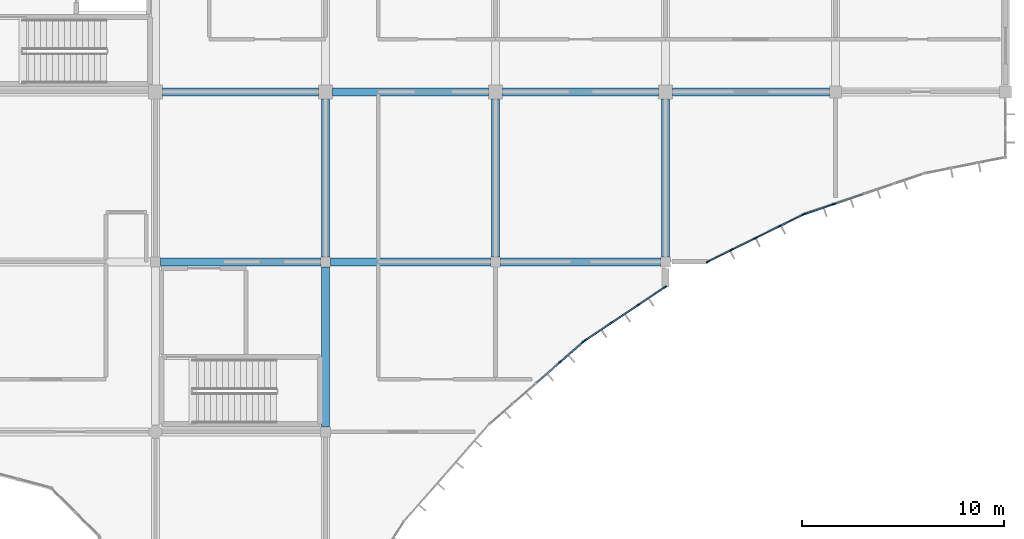
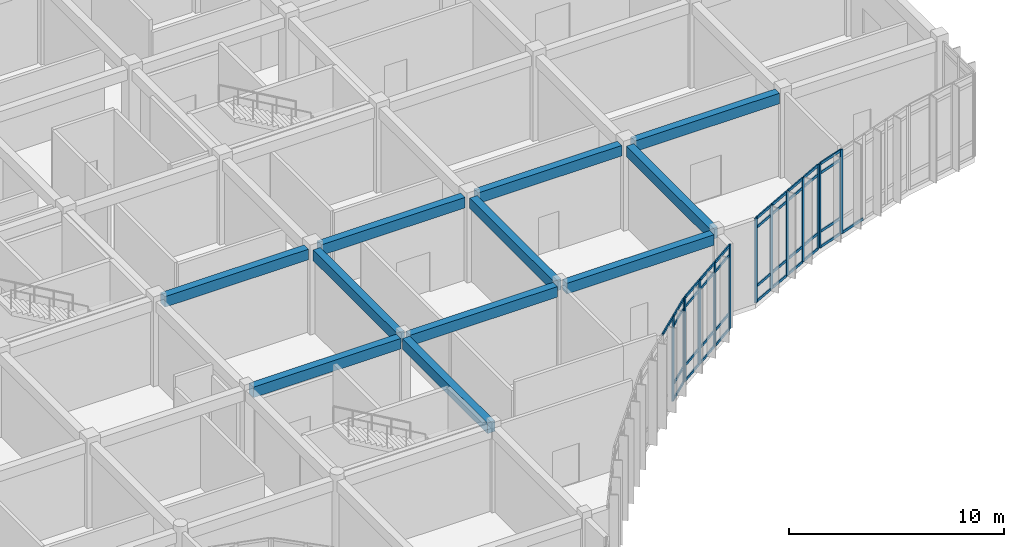
# One storey, part 61 of 134: 51 members, 11 beams, 4 elements without a shape of their own.
"""IFC4 building model written with IfcOpenShell, lengths in metres."""

import ifcopenshell
import ifcopenshell.guid

model = None  # the IFC model being written
_history = None  # IfcOwnerHistory: only IFC2X3 demands one
_inside = {}  # id of a spatial element -> (the spatial element, [elements in it])
_under = {}  # id of a project, library or spatial element -> (it, [spatial elements below it])
_declared = {}  # id of a project -> (the project, [libraries it declares])
_typed = {}  # id of a type object -> (the type object, [elements of that type])
_made_of = {}  # id of a material, layer set ... -> (it, [elements and type objects made of it])


def new_model(schema):
    """Start an empty IFC model of exactly this schema.

    Asked for "IFC4X3", IfcOpenShell would pick the latest addendum, in which some entities
    have other attributes; the version numbers below select the first issue.
    IFC2X3 requires an IfcOwnerHistory on every rooted entity: one is made here for all.
    """
    global model, _history
    if schema == "IFC4X3":
        model = ifcopenshell.file(schema_version=(4, 3, 0, 0))
    else:
        model = ifcopenshell.file(schema=schema)
    _inside.clear()
    _under.clear()
    _declared.clear()
    _typed.clear()
    _made_of.clear()
    _history = None
    if model.schema == "IFC2X3":
        org = make("IfcOrganization", Name="unknown")
        user = make(
            "IfcPersonAndOrganization",
            ThePerson=make("IfcPerson", FamilyName="unknown"),
            TheOrganization=org,
        )
        app = make(
            "IfcApplication",
            ApplicationDeveloper=org,
            Version="unknown",
            ApplicationFullName="unknown",
            ApplicationIdentifier="unknown",
        )
        _history = make(
            "IfcOwnerHistory",
            OwningUser=user,
            OwningApplication=app,
            ChangeAction="ADDED",
            CreationDate=0,
        )
    return model


def make(cls, **values):
    """One entity of the class cls with the attributes given. An attribute that is None is left unset."""
    return model.create_entity(
        cls, **{name: value for name, value in values.items() if value is not None}
    )


def rooted(cls, **values):
    """An entity with a GlobalId (a new one), such as an element, a storey or a relation."""
    return make(cls, GlobalId=ifcopenshell.guid.new(), OwnerHistory=_history, **values)


def si_unit(unit_type, name, prefix=None):
    """IfcSIUnit, for example si_unit("LENGTHUNIT", "METRE", prefix="MILLI")."""
    return make("IfcSIUnit", UnitType=unit_type, Prefix=prefix, Name=name)


def assignment(units):
    """IfcUnitAssignment: the units of a project."""
    return None if units is None else make("IfcUnitAssignment", Units=units)


def point(xyz):
    """IfcCartesianPoint."""
    return None if xyz is None else make("IfcCartesianPoint", Coordinates=xyz)


def direction(xyz):
    """IfcDirection."""
    return None if xyz is None else make("IfcDirection", DirectionRatios=xyz)


def frame(location, z_axis=None, x_axis=None):
    """IfcAxis2Placement3D, a coordinate frame: its origin and axes. An axis left out is left unset."""
    return make(
        "IfcAxis2Placement3D",
        Location=point(location),
        Axis=direction(z_axis),
        RefDirection=direction(x_axis),
    )


def frame_2d(location, x_axis=None):
    """IfcAxis2Placement2D, a coordinate frame in the plane: its origin and x axis."""
    return make(
        "IfcAxis2Placement2D", Location=point(location), RefDirection=direction(x_axis)
    )


def origin():
    """The frame at (0, 0, 0) with its axes left unset."""
    return frame((0.0, 0.0, 0.0))


def origin_2d():
    """The frame at (0, 0) in the plane with its x axis left unset."""
    return frame_2d((0.0, 0.0))


def place(relative_to, where):
    """IfcLocalPlacement: puts the frame where relative to a parent placement (None: the world)."""
    return make(
        "IfcLocalPlacement", PlacementRelTo=relative_to, RelativePlacement=where
    )


def context(
    kind, dimensions, precision=None, world=None, true_north=None, identifier=None
):
    """IfcGeometricRepresentationContext, for example the 3D "Model" context."""
    return make(
        "IfcGeometricRepresentationContext",
        ContextIdentifier=identifier,
        ContextType=kind,
        CoordinateSpaceDimension=dimensions,
        Precision=precision,
        WorldCoordinateSystem=world,
        TrueNorth=true_north,
    )


def subcontext(parent, identifier, kind, view, scale=None):
    """IfcGeometricRepresentationSubContext, for example "Body" below "Model"."""
    return make(
        "IfcGeometricRepresentationSubContext",
        ContextIdentifier=identifier,
        ContextType=kind,
        ParentContext=parent,
        TargetScale=scale,
        TargetView=view,
    )


def project(units=None, contexts=None):
    """IfcProject with its units and contexts."""
    return rooted(
        "IfcProject",
        Name="project",
        RepresentationContexts=contexts,
        UnitsInContext=assignment(units),
    )


def spatial(cls, under=None, at=None, **own):
    """A site, building, storey or space (cls), placed at a placement, below another one or the project."""
    s = rooted(cls, ObjectPlacement=at, **own)
    if under is not None:
        _under.setdefault(under.id(), (under, []))[1].append(s)
    return s


def profile(cls, at=None, kind="AREA", **sizes):
    """A parametric profile (cls). Its sizes go by their IFC names, for example OverallWidth=200.0."""
    return make(cls, ProfileType=kind, Position=at, **sizes)


def rectangle(**sizes):
    """IfcRectangleProfileDef."""
    return profile("IfcRectangleProfileDef", **sizes)


def extrude(swept, where, along, depth):
    """IfcExtrudedAreaSolid: the profile swept, set in the frame where, extruded along a direction by depth."""
    return make(
        "IfcExtrudedAreaSolid",
        SweptArea=swept,
        Position=where,
        ExtrudedDirection=direction(along),
        Depth=depth,
    )


def shape(context_of_items, identifier, shape_type, items):
    """IfcShapeRepresentation: the items that make up one representation, for example the "Body"."""
    return make(
        "IfcShapeRepresentation",
        ContextOfItems=context_of_items,
        RepresentationIdentifier=identifier,
        RepresentationType=shape_type,
        Items=items,
    )


def material(Name=None, Category=None):
    """IfcMaterial."""
    return make("IfcMaterial", Name=Name, Category=Category)


def layer(
    of_material, thickness, ventilated=None, Name=None, Category=None, Priority=None
):
    """IfcMaterialLayer: one layer of a wall or slab, of a material (None: an air gap)."""
    return make(
        "IfcMaterialLayer",
        Material=of_material,
        LayerThickness=thickness,
        IsVentilated=ventilated,
        Name=Name,
        Category=Category,
        Priority=Priority,
    )


def layer_set(layers, Name=None):
    """IfcMaterialLayerSet."""
    return make("IfcMaterialLayerSet", MaterialLayers=layers, LayerSetName=Name)


def material_profile(
    of_material, cross_section, Name=None, Category=None, Priority=None
):
    """IfcMaterialProfile: a cross section and its material."""
    return make(
        "IfcMaterialProfile",
        Name=Name,
        Material=of_material,
        Profile=cross_section,
        Priority=Priority,
        Category=Category,
    )


def profile_set(profiles, Name=None, composite=None):
    """IfcMaterialProfileSet."""
    return make(
        "IfcMaterialProfileSet",
        Name=Name,
        MaterialProfiles=profiles,
        CompositeProfile=composite,
    )


def made_of(thing, what):
    """Note that an element or type object is made of a material, layer set ...; save() writes the relation."""
    if what is not None:
        _made_of.setdefault(what.id(), (what, []))[1].append(thing)
    return thing


def type_object(cls, material=None, **own):
    """A type object (cls), such as IfcWallType, which elements share."""
    return made_of(rooted(cls, **own), material)


def element(
    cls,
    number,
    at=None,
    inside=None,
    cuts=None,
    type_object=None,
    material=None,
    context=None,
    identifier="Body",
    shape_type=None,
    held_by="IfcProductDefinitionShape",
    body=None,
    shapes=None,
    **own,
):
    """One element of the class cls, such as IfcWall. Its Tag is "e" and its number.

    at: its placement. inside: the storey or other place that contains it. cuts: it is an
    opening in that element (IfcRelVoidsElement). A single representation is given by context,
    identifier, shape_type and body (its items); several are given by shapes. held_by: the class
    of the entity that holds the representations. save() writes the other relations.
    """
    e = rooted(cls, Tag="e%d" % number, ObjectPlacement=at, **own)
    if body is not None:
        shapes = [shape(context, identifier, shape_type, body)]
    if shapes is not None:
        e.Representation = make(held_by, Representations=shapes)
    if inside is not None:
        _inside.setdefault(inside.id(), (inside, []))[1].append(e)
    if cuts is not None:
        rooted(
            "IfcRelVoidsElement", RelatingBuildingElement=cuts, RelatedOpeningElement=e
        )
    if type_object is not None:
        _typed.setdefault(type_object.id(), (type_object, []))[1].append(e)
    return made_of(e, material)


def aggregate(whole, parts):
    """IfcRelAggregates: a whole, such as a stair, and the parts it consists of."""
    return rooted("IfcRelAggregates", RelatingObject=whole, RelatedObjects=parts)


def save(model, path):
    """Write the relations noted so far, then the file.

    IfcRelAggregates (storeys below a building ...), IfcRelContainedInSpatialStructure (elements
    in a storey), IfcRelDefinesByType, IfcRelAssociatesMaterial and IfcRelDeclares: one each for
    every whole, place, type object, material and project.
    """
    for whole, parts in _under.values():
        aggregate(whole, parts)
    for where, things in _inside.values():
        rooted(
            "IfcRelContainedInSpatialStructure",
            RelatedElements=things,
            RelatingStructure=where,
        )
    for kind, things in _typed.values():
        rooted("IfcRelDefinesByType", RelatedObjects=things, RelatingType=kind)
    for what, things in _made_of.values():
        rooted("IfcRelAssociatesMaterial", RelatedObjects=things, RelatingMaterial=what)
    for by, libraries in _declared.values():
        rooted("IfcRelDeclares", RelatingContext=by, RelatedDefinitions=libraries)
    model.write(path)


model = new_model("IFC4")

# Units and contexts
model_context = context("Model", 3, precision=1e-05, world=origin(), true_north=direction((0.0, 1.0)))
body_context = subcontext(model_context, "Body", "Model", "MODEL_VIEW")
ifc_project = project(units=[si_unit("LENGTHUNIT", "METRE"), si_unit("AREAUNIT", "SQUARE_METRE"), si_unit("VOLUMEUNIT", "CUBIC_METRE"), si_unit("PLANEANGLEUNIT", "RADIAN"), si_unit("MASSUNIT", "GRAM", prefix="KILO")], contexts=[model_context])

# Site, building, storey
site_placement = place(None, origin())
site = spatial("IfcSite", under=ifc_project, at=site_placement, CompositionType="ELEMENT")
building_placement = place(site_placement, origin())
building = spatial("IfcBuilding", under=site, at=building_placement, Name="Bramfleet General Hospital", CompositionType="ELEMENT")
storey_placement = place(building_placement, frame((0.0, 0.0, 9.300048828125)))
storey = spatial("IfcBuildingStorey", under=building, at=storey_placement, Name="L02", CompositionType="ELEMENT", Elevation=9.300048828125)

# Beams
ifc_material_1 = material(Name="Concrete C35/45", Category="concrete")
ifc_material_profile_1 = material_profile(ifc_material_1, rectangle(XDim=0.39990234375, YDim=0.60009765625, at=origin_2d()), Name="RC BM 600x400")
ifc_profile_set_1 = profile_set([ifc_material_profile_1], Name="Concrete C35/45")
beam_type = type_object("IfcBeamType", Name="BM-RC600", PredefinedType="BEAM", material=ifc_profile_set_1)
beam_1_placement = place(storey_placement, frame((126.25, 84.0, 4.47998046875), z_axis=(1.0, 0.0, 0.0), x_axis=(0.0, 1.0, 0.0)))
element("IfcBeam", 1, at=beam_1_placement, inside=storey, type_object=beam_type, Name="L02 Grid Beam X 15-10", PredefinedType="BEAM", context=body_context, shape_type="SweptSolid", body=[
    extrude(rectangle(XDim=0.39990234375, YDim=0.60009765625, at=origin_2d()), origin(), (0.0, 0.0, 1.0), 7.89990234375),
])
beam_2_placement = place(storey_placement, frame((126.35009765625, 92.39990234375, 4.47998046875), z_axis=(1.0, 0.0, 0.0), x_axis=(0.0, 1.0, 0.0)))
element("IfcBeam", 2, at=beam_2_placement, inside=storey, type_object=beam_type, Name="L02 Grid Beam X 15-11", PredefinedType="BEAM", context=body_context, shape_type="SweptSolid", body=[
    extrude(rectangle(XDim=0.39990234375, YDim=0.60009765625, at=origin_2d()), origin(), (0.0, 0.0, 1.0), 7.699951171875),
])
beam_3_placement = place(storey_placement, frame((134.64990234375, 84.0, 4.47998046875), z_axis=(1.0, 0.0, 0.0), x_axis=(0.0, 1.0, 0.0)))
element("IfcBeam", 3, at=beam_3_placement, inside=storey, type_object=beam_type, Name="L02 Grid Beam X 16-10", PredefinedType="BEAM", context=body_context, shape_type="SweptSolid", body=[
    extrude(rectangle(XDim=0.39990234375, YDim=0.60009765625, at=origin_2d()), origin(), (0.0, 0.0, 1.0), 7.900146484375),
])
beam_4_placement = place(storey_placement, frame((134.75, 92.39990234375, 4.47998046875), z_axis=(1.0, 0.0, 0.0), x_axis=(0.0, 1.0, 0.0)))
element("IfcBeam", 4, at=beam_4_placement, inside=storey, type_object=beam_type, Name="L02 Grid Beam X 16-11", PredefinedType="BEAM", context=body_context, shape_type="SweptSolid", body=[
    extrude(rectangle(XDim=0.39990234375, YDim=0.60009765625, at=origin_2d()), origin(), (0.0, 0.0, 1.0), 7.699951171875),
])
beam_5_placement = place(storey_placement, frame((143.050048828125, 84.0, 4.47998046875), z_axis=(1.0, 0.0, 0.0), x_axis=(0.0, 1.0, 0.0)))
element("IfcBeam", 5, at=beam_5_placement, inside=storey, type_object=beam_type, Name="L02 Grid Beam X 17-10", PredefinedType="BEAM", context=body_context, shape_type="SweptSolid", body=[
    extrude(rectangle(XDim=0.39990234375, YDim=0.60009765625, at=origin_2d()), origin(), (0.0, 0.0, 1.0), 7.89990234375),
])
beam_6_placement = place(storey_placement, frame((143.14990234375, 92.39990234375, 4.47998046875), z_axis=(1.0, 0.0, 0.0), x_axis=(0.0, 1.0, 0.0)))
element("IfcBeam", 6, at=beam_6_placement, inside=storey, type_object=beam_type, Name="L02 Grid Beam X 17-11", PredefinedType="BEAM", context=body_context, shape_type="SweptSolid", body=[
    extrude(rectangle(XDim=0.39990234375, YDim=0.60009765625, at=origin_2d()), origin(), (0.0, 0.0, 1.0), 7.7001953125),
])
beam_7_placement = place(storey_placement, frame((151.550048828125, 92.39990234375, 4.47998046875), z_axis=(1.0, 0.0, 0.0), x_axis=(0.0, 1.0, 0.0)))
element("IfcBeam", 7, at=beam_7_placement, inside=storey, type_object=beam_type, Name="L02 Grid Beam X 18-11", PredefinedType="BEAM", context=body_context, shape_type="SweptSolid", body=[
    extrude(rectangle(XDim=0.39990234375, YDim=0.60009765625, at=origin_2d()), origin(), (0.0, 0.0, 1.0), 7.75),
])
beam_8_placement = place(storey_placement, frame((134.39990234375, 75.85009765625, 4.47998046875), z_axis=(0.0, 1.0, 0.0), x_axis=(-1.0, 0.0, 0.0)))
element("IfcBeam", 8, at=beam_8_placement, inside=storey, type_object=beam_type, Name="L02 Grid Beam Y 16-09", PredefinedType="BEAM", context=body_context, shape_type="SweptSolid", body=[
    extrude(rectangle(XDim=0.39990234375, YDim=0.60009765625, at=origin_2d()), origin(), (0.0, 0.0, 1.0), 7.89990234375),
])
for number, where, z_axis, x_axis, name in (
    (9, (134.39990234375, 84.25, 4.47998046875), (0.0, 1.0, 0.0), (-1.0, 0.0, 0.0), "L02 Grid Beam Y 16-10"),
    (10, (142.800048828125, 84.25, 4.47998046875), (0.0, 1.0, 0.0), (-1.0, 0.0, 0.0), "L02 Grid Beam Y 17-10"),
    (11, (151.199951171875, 84.25, 4.47998046875), (0.0, 1.0, 0.0), (-1.0, 0.0, 0.0), "L02 Grid Beam Y 18-10"),
):
    element("IfcBeam", number, at=place(storey_placement, frame(where, z_axis=z_axis, x_axis=x_axis)), inside=storey, type_object=beam_type, Name=name, PredefinedType="BEAM", context=body_context, shape_type="SweptSolid", body=[
        extrude(rectangle(XDim=0.39990234375, YDim=0.60009765625, at=origin_2d()), origin(), (0.0, 0.0, 1.0), 7.800048828125),
    ])

# Curtain wall, members
ifc_material_2 = material(Name="Anodised aluminium and low-E triple glazing", Category="aluminium")
ifc_layer_1 = layer(ifc_material_2, 0.179931640625, Name="CWT-CW-14")
ifc_layer_set_1 = layer_set([ifc_layer_1], Name="Anodised aluminium and low-E triple glazing")
curtain_wall_type_1 = type_object("IfcCurtainWallType", Name="CWT-CW-14", PredefinedType="USERDEFINED", material=ifc_layer_set_1)
curtain_wall_1_placement = place(storey_placement, origin())
curtain_wall_1 = element("IfcCurtainWall", 12, at=curtain_wall_1_placement, inside=storey, type_object=curtain_wall_type_1, Name="L02 Curtain Wall 104", ObjectType="Stick curtain wall", PredefinedType="USERDEFINED")
ifc_material_3 = material(Name="Structural timber GL28h", Category="wood")
ifc_material_profile_2 = material_profile(ifc_material_3, rectangle(XDim=0.070068359375, YDim=0.18994140625, at=origin_2d()), Name="LARCH 190x70")
ifc_profile_set_2 = profile_set([ifc_material_profile_2], Name="Structural timber GL28h")
member_type_1 = type_object("IfcMemberType", Name="CWM-LARCH450", PredefinedType="MULLION", material=ifc_profile_set_2)
member_1_placement = place(storey_placement, frame((159.517578125, 86.8505859375, 0.0), z_axis=(0.0, 0.0, 1.0), x_axis=(0.321383054181, -0.946949276617, 0.0)))
member_1 = element("IfcMember", 13, at=member_1_placement, type_object=member_type_1, Name="CW-14 mullion 4", PredefinedType="MULLION", context=body_context, shape_type="SweptSolid", body=[
    extrude(rectangle(XDim=0.070068359375, YDim=0.18994140625, at=origin_2d()), origin(), (0.0, 0.0, 1.0), 4.77001953125),
])
member_2_placement = place(storey_placement, frame((158.064208984375, 86.357177734375, 0.0), z_axis=(0.0, 0.0, 1.0), x_axis=(0.321383054181, -0.946949276617, 0.0)))
member_2 = element("IfcMember", 14, at=member_2_placement, type_object=member_type_1, Name="CW-14 mullion 5", PredefinedType="MULLION", context=body_context, shape_type="SweptSolid", body=[
    extrude(rectangle(XDim=0.070068359375, YDim=0.18994140625, at=origin_2d()), origin(), (0.0, 0.0, 1.0), 4.77001953125),
])

ifc_layer_2 = layer(ifc_material_2, 0.179931640625, Name="CWT-CW-15")
ifc_layer_set_2 = layer_set([ifc_layer_2], Name="Anodised aluminium and low-E triple glazing")
curtain_wall_type_2 = type_object("IfcCurtainWallType", Name="CWT-CW-15", PredefinedType="USERDEFINED", material=ifc_layer_set_2)
curtain_wall_2_placement = place(storey_placement, origin())
curtain_wall_2 = element("IfcCurtainWall", 15, at=curtain_wall_2_placement, inside=storey, type_object=curtain_wall_type_2, Name="L02 Curtain Wall 105", ObjectType="Stick curtain wall", PredefinedType="USERDEFINED")
member_3_placement = place(storey_placement, frame((157.99951171875, 86.33056640625, 0.0), z_axis=(0.0, 0.0, 1.0), x_axis=(0.442304948782, -0.896864723513, 0.0)))
member_3 = element("IfcMember", 16, at=member_3_placement, type_object=member_type_1, Name="CW-15 mullion 1", PredefinedType="MULLION", context=body_context, shape_type="SweptSolid", body=[
    extrude(rectangle(XDim=0.070068359375, YDim=0.18994140625, at=origin_2d()), origin(), (0.0, 0.0, 1.0), 4.77001953125),
])
member_4_placement = place(storey_placement, frame((156.841796875, 85.759521484375, 0.0), z_axis=(0.0, 0.0, 1.0), x_axis=(0.442304948782, -0.896864723513, 0.0)))
member_4 = element("IfcMember", 17, at=member_4_placement, type_object=member_type_1, Name="CW-15 mullion 2", PredefinedType="MULLION", context=body_context, shape_type="SweptSolid", body=[
    extrude(rectangle(XDim=0.070068359375, YDim=0.18994140625, at=origin_2d()), origin(), (0.0, 0.0, 1.0), 4.77001953125),
])
member_5_placement = place(storey_placement, frame((155.652587890625, 85.173095703125, 0.0), z_axis=(0.0, 0.0, 1.0), x_axis=(0.442304948782, -0.896864723513, 0.0)))
member_5 = element("IfcMember", 18, at=member_5_placement, type_object=member_type_1, Name="CW-15 mullion 3", PredefinedType="MULLION", context=body_context, shape_type="SweptSolid", body=[
    extrude(rectangle(XDim=0.070068359375, YDim=0.18994140625, at=origin_2d()), origin(), (0.0, 0.0, 1.0), 4.77001953125),
])
member_6_placement = place(storey_placement, frame((154.463134765625, 84.58642578125, 0.0), z_axis=(0.0, 0.0, 1.0), x_axis=(0.442304948782, -0.896864723513, 0.0)))
member_6 = element("IfcMember", 19, at=member_6_placement, type_object=member_type_1, Name="CW-15 mullion 4", PredefinedType="MULLION", context=body_context, shape_type="SweptSolid", body=[
    extrude(rectangle(XDim=0.070068359375, YDim=0.18994140625, at=origin_2d()), origin(), (0.0, 0.0, 1.0), 4.77001953125),
])
member_7_placement = place(storey_placement, frame((153.305419921875, 84.015380859375, 0.0), z_axis=(0.0, 0.0, 1.0), x_axis=(0.442304948782, -0.896864723513, 0.0)))
member_7 = element("IfcMember", 20, at=member_7_placement, type_object=member_type_1, Name="CW-15 mullion 5", PredefinedType="MULLION", context=body_context, shape_type="SweptSolid", body=[
    extrude(rectangle(XDim=0.070068359375, YDim=0.18994140625, at=origin_2d()), origin(), (0.0, 0.0, 1.0), 4.77001953125),
])

ifc_layer_3 = layer(ifc_material_2, 0.179931640625, Name="CWT-CW-16")
ifc_layer_set_3 = layer_set([ifc_layer_3], Name="Anodised aluminium and low-E triple glazing")
curtain_wall_type_3 = type_object("IfcCurtainWallType", Name="CWT-CW-16", PredefinedType="USERDEFINED", material=ifc_layer_set_3)
curtain_wall_3_placement = place(storey_placement, origin())
curtain_wall_3 = element("IfcCurtainWall", 21, at=curtain_wall_3_placement, inside=storey, type_object=curtain_wall_type_3, Name="L02 Curtain Wall 106", ObjectType="Stick curtain wall", PredefinedType="USERDEFINED")
member_8_placement = place(storey_placement, frame((151.1708984375, 82.74755859375, 0.0), z_axis=(0.0, 0.0, 1.0), x_axis=(0.555463530135, -0.831540898988, 0.0)))
member_8 = element("IfcMember", 22, at=member_8_placement, type_object=member_type_1, Name="CW-16 mullion 1", PredefinedType="MULLION", context=body_context, shape_type="SweptSolid", body=[
    extrude(rectangle(XDim=0.070068359375, YDim=0.18994140625, at=origin_2d()), origin(), (0.0, 0.0, 1.0), 4.77001953125),
])
member_9_placement = place(storey_placement, frame((149.859619140625, 81.87158203125, 0.0), z_axis=(0.0, 0.0, 1.0), x_axis=(0.555463530135, -0.831540898988, 0.0)))
member_9 = element("IfcMember", 23, at=member_9_placement, type_object=member_type_1, Name="CW-16 mullion 2", PredefinedType="MULLION", context=body_context, shape_type="SweptSolid", body=[
    extrude(rectangle(XDim=0.070068359375, YDim=0.18994140625, at=origin_2d()), origin(), (0.0, 0.0, 1.0), 4.77001953125),
])
member_10_placement = place(storey_placement, frame((148.519287109375, 80.976318359375, 0.0), z_axis=(0.0, 0.0, 1.0), x_axis=(0.555463530135, -0.831540898988, 0.0)))
member_10 = element("IfcMember", 24, at=member_10_placement, type_object=member_type_1, Name="CW-16 mullion 3", PredefinedType="MULLION", context=body_context, shape_type="SweptSolid", body=[
    extrude(rectangle(XDim=0.070068359375, YDim=0.18994140625, at=origin_2d()), origin(), (0.0, 0.0, 1.0), 4.77001953125),
])
member_11_placement = place(storey_placement, frame((147.2080078125, 80.100341796875, 0.0), z_axis=(0.0, 0.0, 1.0), x_axis=(0.555463530135, -0.831540898988, 0.0)))
member_11 = element("IfcMember", 25, at=member_11_placement, type_object=member_type_1, Name="CW-16 mullion 4", PredefinedType="MULLION", context=body_context, shape_type="SweptSolid", body=[
    extrude(rectangle(XDim=0.070068359375, YDim=0.18994140625, at=origin_2d()), origin(), (0.0, 0.0, 1.0), 4.77001953125),
])

ifc_layer_4 = layer(ifc_material_2, 0.179931640625, Name="CWT-CW-17")
ifc_layer_set_4 = layer_set([ifc_layer_4], Name="Anodised aluminium and low-E triple glazing")
curtain_wall_type_4 = type_object("IfcCurtainWallType", Name="CWT-CW-17", PredefinedType="USERDEFINED", material=ifc_layer_set_4)
curtain_wall_4_placement = place(storey_placement, origin())
curtain_wall_4 = element("IfcCurtainWall", 26, at=curtain_wall_4_placement, inside=storey, type_object=curtain_wall_type_4, Name="L02 Curtain Wall 107", ObjectType="Stick curtain wall", PredefinedType="USERDEFINED")
member_12_placement = place(storey_placement, frame((147.152587890625, 80.057861328125, 0.0), z_axis=(0.0, 0.0, 1.0), x_axis=(0.659406233864, -0.75178681735, 0.0)))
member_12 = element("IfcMember", 27, at=member_12_placement, type_object=member_type_1, Name="CW-17 mullion 1", PredefinedType="MULLION", context=body_context, shape_type="SweptSolid", body=[
    extrude(rectangle(XDim=0.070068359375, YDim=0.18994140625, at=origin_2d()), origin(), (0.0, 0.0, 1.0), 4.77001953125),
])
member_13_placement = place(storey_placement, frame((145.9990234375, 79.0458984375, 0.0), z_axis=(0.0, 0.0, 1.0), x_axis=(0.659406233864, -0.75178681735, 0.0)))
member_13 = element("IfcMember", 28, at=member_13_placement, type_object=member_type_1, Name="CW-17 mullion 2", PredefinedType="MULLION", context=body_context, shape_type="SweptSolid", body=[
    extrude(rectangle(XDim=0.070068359375, YDim=0.18994140625, at=origin_2d()), origin(), (0.0, 0.0, 1.0), 4.77001953125),
])

# Member
ifc_material_profile_3 = material_profile(ifc_material_3, rectangle(XDim=0.06494140625, YDim=0.14990234375, at=origin_2d()), Name="LARCH 150x65")
ifc_profile_set_3 = profile_set([ifc_material_profile_3], Name="Structural timber GL28h")
member_type_2 = type_object("IfcMemberType", Name="CWT-LARCH220", PredefinedType="USERDEFINED", material=ifc_profile_set_3)
member_14_placement = place(storey_placement, frame((160.970947265625, 87.34375, 0.032470703125), z_axis=(-0.946976931603, -0.321301557749, 0.0), x_axis=(0.321301557749, -0.946976931603, 0.0)))
member_14 = element("IfcMember", 29, at=member_14_placement, type_object=member_type_2, Name="CW-14 transom 3.1", ObjectType="TRANSOM", PredefinedType="USERDEFINED", context=body_context, shape_type="SweptSolid", body=[
    extrude(rectangle(XDim=0.06494140625, YDim=0.14990234375, at=origin_2d()), origin(), (0.0, 0.0, 1.0), 1.5),
])

member_15_placement = place(storey_placement, frame((159.484375, 86.83935546875, 0.032470703125), z_axis=(-0.946918923538, -0.321472475098, 0.0), x_axis=(0.321472475098, -0.946918923538, 0.0)))
member_15 = element("IfcMember", 30, at=member_15_placement, type_object=member_type_2, Name="CW-14 transom 4.1", ObjectType="TRANSOM", PredefinedType="USERDEFINED", context=body_context, shape_type="SweptSolid", body=[
    extrude(rectangle(XDim=0.06494140625, YDim=0.14990234375, at=origin_2d()), origin(), (0.0, 0.0, 1.0), 1.465087890625),
])

member_16_placement = place(storey_placement, frame((159.484375, 86.83935546875, 0.89990234375), z_axis=(-0.946918923538, -0.321472475098, 0.0), x_axis=(0.321472475098, -0.946918923538, 0.0)))
member_16 = element("IfcMember", 31, at=member_16_placement, type_object=member_type_2, Name="CW-14 transom 4.2", ObjectType="TRANSOM", PredefinedType="USERDEFINED", context=body_context, shape_type="SweptSolid", body=[
    extrude(rectangle(XDim=0.06494140625, YDim=0.14990234375, at=origin_2d()), origin(), (0.0, 0.0, 1.0), 1.465087890625),
])

member_17_placement = place(storey_placement, frame((159.484375, 86.83935546875, 4.219970703125), z_axis=(-0.946918923538, -0.321472475098, 0.0), x_axis=(0.321472475098, -0.946918923538, 0.0)))
member_17 = element("IfcMember", 32, at=member_17_placement, type_object=member_type_2, Name="CW-14 transom 4.3", ObjectType="TRANSOM", PredefinedType="USERDEFINED", context=body_context, shape_type="SweptSolid", body=[
    extrude(rectangle(XDim=0.06494140625, YDim=0.14990234375, at=origin_2d()), origin(), (0.0, 0.0, 1.0), 1.465087890625),
])

member_18_placement = place(storey_placement, frame((159.484375, 86.83935546875, 4.737548828125), z_axis=(-0.946918923538, -0.321472475098, 0.0), x_axis=(0.321472475098, -0.946918923538, 0.0)))
member_18 = element("IfcMember", 33, at=member_18_placement, type_object=member_type_2, Name="CW-14 transom 4.4", ObjectType="TRANSOM", PredefinedType="USERDEFINED", context=body_context, shape_type="SweptSolid", body=[
    extrude(rectangle(XDim=0.06494140625, YDim=0.14990234375, at=origin_2d()), origin(), (0.0, 0.0, 1.0), 1.465087890625),
])

aggregate(curtain_wall_1, [member_1, member_2, member_14, member_15, member_16, member_17, member_18])

member_19_placement = place(storey_placement, frame((157.96826171875, 86.31494140625, 0.032470703125), z_axis=(-0.896892597897, -0.442248423216, 0.0), x_axis=(0.442248423216, -0.896892597897, 0.0)))
member_19 = element("IfcMember", 34, at=member_19_placement, type_object=member_type_2, Name="CW-15 transom 1.1", ObjectType="TRANSOM", PredefinedType="USERDEFINED", context=body_context, shape_type="SweptSolid", body=[
    extrude(rectangle(XDim=0.06494140625, YDim=0.14990234375, at=origin_2d()), origin(), (0.0, 0.0, 1.0), 1.22119140625),
])

member_20_placement = place(storey_placement, frame((157.96826171875, 86.31494140625, 0.89990234375), z_axis=(-0.896892597897, -0.442248423216, 0.0), x_axis=(0.442248423216, -0.896892597897, 0.0)))
member_20 = element("IfcMember", 35, at=member_20_placement, type_object=member_type_2, Name="CW-15 transom 1.2", ObjectType="TRANSOM", PredefinedType="USERDEFINED", context=body_context, shape_type="SweptSolid", body=[
    extrude(rectangle(XDim=0.06494140625, YDim=0.14990234375, at=origin_2d()), origin(), (0.0, 0.0, 1.0), 1.22119140625),
])

member_21_placement = place(storey_placement, frame((157.96826171875, 86.31494140625, 4.219970703125), z_axis=(-0.896892597897, -0.442248423216, 0.0), x_axis=(0.442248423216, -0.896892597897, 0.0)))
member_21 = element("IfcMember", 36, at=member_21_placement, type_object=member_type_2, Name="CW-15 transom 1.3", ObjectType="TRANSOM", PredefinedType="USERDEFINED", context=body_context, shape_type="SweptSolid", body=[
    extrude(rectangle(XDim=0.06494140625, YDim=0.14990234375, at=origin_2d()), origin(), (0.0, 0.0, 1.0), 1.22119140625),
])

member_22_placement = place(storey_placement, frame((157.96826171875, 86.31494140625, 4.737548828125), z_axis=(-0.896892597897, -0.442248423216, 0.0), x_axis=(0.442248423216, -0.896892597897, 0.0)))
member_22 = element("IfcMember", 37, at=member_22_placement, type_object=member_type_2, Name="CW-15 transom 1.4", ObjectType="TRANSOM", PredefinedType="USERDEFINED", context=body_context, shape_type="SweptSolid", body=[
    extrude(rectangle(XDim=0.06494140625, YDim=0.14990234375, at=origin_2d()), origin(), (0.0, 0.0, 1.0), 1.22119140625),
])

member_23_placement = place(storey_placement, frame((156.810302734375, 85.744140625, 0.032470703125), z_axis=(-0.896824392797, -0.44238671825, 0.0), x_axis=(0.44238671825, -0.896824392797, 0.0)))
member_23 = element("IfcMember", 38, at=member_23_placement, type_object=member_type_2, Name="CW-15 transom 2.1", ObjectType="TRANSOM", PredefinedType="USERDEFINED", context=body_context, shape_type="SweptSolid", body=[
    extrude(rectangle(XDim=0.06494140625, YDim=0.14990234375, at=origin_2d()), origin(), (0.0, 0.0, 1.0), 1.256103515625),
])

member_24_placement = place(storey_placement, frame((156.810302734375, 85.744140625, 0.89990234375), z_axis=(-0.896824392797, -0.44238671825, 0.0), x_axis=(0.44238671825, -0.896824392797, 0.0)))
member_24 = element("IfcMember", 39, at=member_24_placement, type_object=member_type_2, Name="CW-15 transom 2.2", ObjectType="TRANSOM", PredefinedType="USERDEFINED", context=body_context, shape_type="SweptSolid", body=[
    extrude(rectangle(XDim=0.06494140625, YDim=0.14990234375, at=origin_2d()), origin(), (0.0, 0.0, 1.0), 1.256103515625),
])

member_25_placement = place(storey_placement, frame((156.810302734375, 85.744140625, 4.219970703125), z_axis=(-0.896824392797, -0.44238671825, 0.0), x_axis=(0.44238671825, -0.896824392797, 0.0)))
member_25 = element("IfcMember", 40, at=member_25_placement, type_object=member_type_2, Name="CW-15 transom 2.3", ObjectType="TRANSOM", PredefinedType="USERDEFINED", context=body_context, shape_type="SweptSolid", body=[
    extrude(rectangle(XDim=0.06494140625, YDim=0.14990234375, at=origin_2d()), origin(), (0.0, 0.0, 1.0), 1.256103515625),
])

member_26_placement = place(storey_placement, frame((156.810302734375, 85.744140625, 4.737548828125), z_axis=(-0.896824392797, -0.44238671825, 0.0), x_axis=(0.44238671825, -0.896824392797, 0.0)))
member_26 = element("IfcMember", 41, at=member_26_placement, type_object=member_type_2, Name="CW-15 transom 2.4", ObjectType="TRANSOM", PredefinedType="USERDEFINED", context=body_context, shape_type="SweptSolid", body=[
    extrude(rectangle(XDim=0.06494140625, YDim=0.14990234375, at=origin_2d()), origin(), (0.0, 0.0, 1.0), 1.256103515625),
])

member_27_placement = place(storey_placement, frame((155.62109375, 85.157470703125, 0.032470703125), z_axis=(-0.89690150088, -0.442230367252, 0.0), x_axis=(0.442230367252, -0.89690150088, 0.0)))
member_27 = element("IfcMember", 42, at=member_27_placement, type_object=member_type_2, Name="CW-15 transom 3.1", ObjectType="TRANSOM", PredefinedType="USERDEFINED", context=body_context, shape_type="SweptSolid", body=[
    extrude(rectangle(XDim=0.06494140625, YDim=0.14990234375, at=origin_2d()), origin(), (0.0, 0.0, 1.0), 1.255859375),
])

member_28_placement = place(storey_placement, frame((155.62109375, 85.157470703125, 0.89990234375), z_axis=(-0.89690150088, -0.442230367252, 0.0), x_axis=(0.442230367252, -0.89690150088, 0.0)))
member_28 = element("IfcMember", 43, at=member_28_placement, type_object=member_type_2, Name="CW-15 transom 3.2", ObjectType="TRANSOM", PredefinedType="USERDEFINED", context=body_context, shape_type="SweptSolid", body=[
    extrude(rectangle(XDim=0.06494140625, YDim=0.14990234375, at=origin_2d()), origin(), (0.0, 0.0, 1.0), 1.255859375),
])

member_29_placement = place(storey_placement, frame((155.62109375, 85.157470703125, 4.219970703125), z_axis=(-0.89690150088, -0.442230367252, 0.0), x_axis=(0.442230367252, -0.89690150088, 0.0)))
member_29 = element("IfcMember", 44, at=member_29_placement, type_object=member_type_2, Name="CW-15 transom 3.3", ObjectType="TRANSOM", PredefinedType="USERDEFINED", context=body_context, shape_type="SweptSolid", body=[
    extrude(rectangle(XDim=0.06494140625, YDim=0.14990234375, at=origin_2d()), origin(), (0.0, 0.0, 1.0), 1.255859375),
])

member_30_placement = place(storey_placement, frame((155.62109375, 85.157470703125, 4.737548828125), z_axis=(-0.89690150088, -0.442230367252, 0.0), x_axis=(0.442230367252, -0.89690150088, 0.0)))
member_30 = element("IfcMember", 45, at=member_30_placement, type_object=member_type_2, Name="CW-15 transom 3.4", ObjectType="TRANSOM", PredefinedType="USERDEFINED", context=body_context, shape_type="SweptSolid", body=[
    extrude(rectangle(XDim=0.06494140625, YDim=0.14990234375, at=origin_2d()), origin(), (0.0, 0.0, 1.0), 1.255859375),
])

member_31_placement = place(storey_placement, frame((154.431884765625, 84.571044921875, 0.032470703125), z_axis=(-0.896892597897, -0.442248423216, 0.0), x_axis=(0.442248423216, -0.896892597897, 0.0)))
member_31 = element("IfcMember", 46, at=member_31_placement, type_object=member_type_2, Name="CW-15 transom 4.1", ObjectType="TRANSOM", PredefinedType="USERDEFINED", context=body_context, shape_type="SweptSolid", body=[
    extrude(rectangle(XDim=0.06494140625, YDim=0.14990234375, at=origin_2d()), origin(), (0.0, 0.0, 1.0), 1.22119140625),
])

member_32_placement = place(storey_placement, frame((154.431884765625, 84.571044921875, 0.89990234375), z_axis=(-0.896892597897, -0.442248423216, 0.0), x_axis=(0.442248423216, -0.896892597897, 0.0)))
member_32 = element("IfcMember", 47, at=member_32_placement, type_object=member_type_2, Name="CW-15 transom 4.2", ObjectType="TRANSOM", PredefinedType="USERDEFINED", context=body_context, shape_type="SweptSolid", body=[
    extrude(rectangle(XDim=0.06494140625, YDim=0.14990234375, at=origin_2d()), origin(), (0.0, 0.0, 1.0), 1.22119140625),
])

member_33_placement = place(storey_placement, frame((154.431884765625, 84.571044921875, 4.219970703125), z_axis=(-0.896892597897, -0.442248423216, 0.0), x_axis=(0.442248423216, -0.896892597897, 0.0)))
member_33 = element("IfcMember", 48, at=member_33_placement, type_object=member_type_2, Name="CW-15 transom 4.3", ObjectType="TRANSOM", PredefinedType="USERDEFINED", context=body_context, shape_type="SweptSolid", body=[
    extrude(rectangle(XDim=0.06494140625, YDim=0.14990234375, at=origin_2d()), origin(), (0.0, 0.0, 1.0), 1.22119140625),
])

member_34_placement = place(storey_placement, frame((154.431884765625, 84.571044921875, 4.737548828125), z_axis=(-0.896892597897, -0.442248423216, 0.0), x_axis=(0.442248423216, -0.896892597897, 0.0)))
member_34 = element("IfcMember", 49, at=member_34_placement, type_object=member_type_2, Name="CW-15 transom 4.4", ObjectType="TRANSOM", PredefinedType="USERDEFINED", context=body_context, shape_type="SweptSolid", body=[
    extrude(rectangle(XDim=0.06494140625, YDim=0.14990234375, at=origin_2d()), origin(), (0.0, 0.0, 1.0), 1.22119140625),
])

aggregate(curtain_wall_2, [member_3, member_4, member_5, member_6, member_7, member_19, member_20, member_21, member_22, member_23, member_24, member_25, member_26, member_27, member_28, member_29, member_30, member_31, member_32, member_33, member_34])

member_35_placement = place(storey_placement, frame((151.141845703125, 82.72802734375, 0.032470703125), z_axis=(-0.831601376927, -0.555372982682, 0.0), x_axis=(0.555372982682, -0.831601376927, 0.0)))
member_35 = element("IfcMember", 50, at=member_35_placement, type_object=member_type_2, Name="CW-16 transom 1.1", ObjectType="TRANSOM", PredefinedType="USERDEFINED", context=body_context, shape_type="SweptSolid", body=[
    extrude(rectangle(XDim=0.06494140625, YDim=0.14990234375, at=origin_2d()), origin(), (0.0, 0.0, 1.0), 1.5068359375),
])

member_36_placement = place(storey_placement, frame((151.141845703125, 82.72802734375, 0.89990234375), z_axis=(-0.831601376927, -0.555372982682, 0.0), x_axis=(0.555372982682, -0.831601376927, 0.0)))
member_36 = element("IfcMember", 51, at=member_36_placement, type_object=member_type_2, Name="CW-16 transom 1.2", ObjectType="TRANSOM", PredefinedType="USERDEFINED", context=body_context, shape_type="SweptSolid", body=[
    extrude(rectangle(XDim=0.06494140625, YDim=0.14990234375, at=origin_2d()), origin(), (0.0, 0.0, 1.0), 1.5068359375),
])

member_37_placement = place(storey_placement, frame((151.141845703125, 82.72802734375, 4.219970703125), z_axis=(-0.831601376927, -0.555372982682, 0.0), x_axis=(0.555372982682, -0.831601376927, 0.0)))
member_37 = element("IfcMember", 52, at=member_37_placement, type_object=member_type_2, Name="CW-16 transom 1.3", ObjectType="TRANSOM", PredefinedType="USERDEFINED", context=body_context, shape_type="SweptSolid", body=[
    extrude(rectangle(XDim=0.06494140625, YDim=0.14990234375, at=origin_2d()), origin(), (0.0, 0.0, 1.0), 1.5068359375),
])

member_38_placement = place(storey_placement, frame((151.141845703125, 82.72802734375, 4.737548828125), z_axis=(-0.831601376927, -0.555372982682, 0.0), x_axis=(0.555372982682, -0.831601376927, 0.0)))
member_38 = element("IfcMember", 53, at=member_38_placement, type_object=member_type_2, Name="CW-16 transom 1.4", ObjectType="TRANSOM", PredefinedType="USERDEFINED", context=body_context, shape_type="SweptSolid", body=[
    extrude(rectangle(XDim=0.06494140625, YDim=0.14990234375, at=origin_2d()), origin(), (0.0, 0.0, 1.0), 1.5068359375),
])

member_39_placement = place(storey_placement, frame((149.83056640625, 81.852294921875, 0.032470703125), z_axis=(-0.831562796213, -0.555430748118, 0.0), x_axis=(0.555430748118, -0.831562796213, 0.0)))
member_39 = element("IfcMember", 54, at=member_39_placement, type_object=member_type_2, Name="CW-16 transom 2.1", ObjectType="TRANSOM", PredefinedType="USERDEFINED", context=body_context, shape_type="SweptSolid", body=[
    extrude(rectangle(XDim=0.06494140625, YDim=0.14990234375, at=origin_2d()), origin(), (0.0, 0.0, 1.0), 1.5419921875),
])

member_40_placement = place(storey_placement, frame((149.83056640625, 81.852294921875, 0.89990234375), z_axis=(-0.831562796213, -0.555430748118, 0.0), x_axis=(0.555430748118, -0.831562796213, 0.0)))
member_40 = element("IfcMember", 55, at=member_40_placement, type_object=member_type_2, Name="CW-16 transom 2.2", ObjectType="TRANSOM", PredefinedType="USERDEFINED", context=body_context, shape_type="SweptSolid", body=[
    extrude(rectangle(XDim=0.06494140625, YDim=0.14990234375, at=origin_2d()), origin(), (0.0, 0.0, 1.0), 1.5419921875),
])

member_41_placement = place(storey_placement, frame((149.83056640625, 81.852294921875, 4.219970703125), z_axis=(-0.831562796213, -0.555430748118, 0.0), x_axis=(0.555430748118, -0.831562796213, 0.0)))
member_41 = element("IfcMember", 56, at=member_41_placement, type_object=member_type_2, Name="CW-16 transom 2.3", ObjectType="TRANSOM", PredefinedType="USERDEFINED", context=body_context, shape_type="SweptSolid", body=[
    extrude(rectangle(XDim=0.06494140625, YDim=0.14990234375, at=origin_2d()), origin(), (0.0, 0.0, 1.0), 1.5419921875),
])

member_42_placement = place(storey_placement, frame((149.83056640625, 81.852294921875, 4.737548828125), z_axis=(-0.831562796213, -0.555430748118, 0.0), x_axis=(0.555430748118, -0.831562796213, 0.0)))
member_42 = element("IfcMember", 57, at=member_42_placement, type_object=member_type_2, Name="CW-16 transom 2.4", ObjectType="TRANSOM", PredefinedType="USERDEFINED", context=body_context, shape_type="SweptSolid", body=[
    extrude(rectangle(XDim=0.06494140625, YDim=0.14990234375, at=origin_2d()), origin(), (0.0, 0.0, 1.0), 1.5419921875),
])

member_43_placement = place(storey_placement, frame((148.490234375, 80.956787109375, 0.032470703125), z_axis=(-0.831551396357, -0.555447815026, 0.0), x_axis=(0.555447815026, -0.831551396357, 0.0)))
member_43 = element("IfcMember", 58, at=member_43_placement, type_object=member_type_2, Name="CW-16 transom 3.1", ObjectType="TRANSOM", PredefinedType="USERDEFINED", context=body_context, shape_type="SweptSolid", body=[
    extrude(rectangle(XDim=0.06494140625, YDim=0.14990234375, at=origin_2d()), origin(), (0.0, 0.0, 1.0), 1.5068359375),
])

member_44_placement = place(storey_placement, frame((148.490234375, 80.956787109375, 0.89990234375), z_axis=(-0.831551396357, -0.555447815026, 0.0), x_axis=(0.555447815026, -0.831551396357, 0.0)))
member_44 = element("IfcMember", 59, at=member_44_placement, type_object=member_type_2, Name="CW-16 transom 3.2", ObjectType="TRANSOM", PredefinedType="USERDEFINED", context=body_context, shape_type="SweptSolid", body=[
    extrude(rectangle(XDim=0.06494140625, YDim=0.14990234375, at=origin_2d()), origin(), (0.0, 0.0, 1.0), 1.5068359375),
])

member_45_placement = place(storey_placement, frame((148.490234375, 80.956787109375, 4.219970703125), z_axis=(-0.831551396357, -0.555447815026, 0.0), x_axis=(0.555447815026, -0.831551396357, 0.0)))
member_45 = element("IfcMember", 60, at=member_45_placement, type_object=member_type_2, Name="CW-16 transom 3.3", ObjectType="TRANSOM", PredefinedType="USERDEFINED", context=body_context, shape_type="SweptSolid", body=[
    extrude(rectangle(XDim=0.06494140625, YDim=0.14990234375, at=origin_2d()), origin(), (0.0, 0.0, 1.0), 1.5068359375),
])

member_46_placement = place(storey_placement, frame((148.490234375, 80.956787109375, 4.737548828125), z_axis=(-0.831551396357, -0.555447815026, 0.0), x_axis=(0.555447815026, -0.831551396357, 0.0)))
member_46 = element("IfcMember", 61, at=member_46_placement, type_object=member_type_2, Name="CW-16 transom 3.4", ObjectType="TRANSOM", PredefinedType="USERDEFINED", context=body_context, shape_type="SweptSolid", body=[
    extrude(rectangle(XDim=0.06494140625, YDim=0.14990234375, at=origin_2d()), origin(), (0.0, 0.0, 1.0), 1.5068359375),
])

aggregate(curtain_wall_3, [member_8, member_9, member_10, member_11, member_35, member_36, member_37, member_38, member_39, member_40, member_41, member_42, member_43, member_44, member_45, member_46])

member_47_placement = place(storey_placement, frame((147.12646484375, 80.034912109375, 0.032470703125), z_axis=(-0.75177071058, -0.659424596686, 0.0), x_axis=(0.659424596686, -0.75177071058, 0.0)))
member_47 = element("IfcMember", 62, at=member_47_placement, type_object=member_type_2, Name="CW-17 transom 1.1", ObjectType="TRANSOM", PredefinedType="USERDEFINED", context=body_context, shape_type="SweptSolid", body=[
    extrude(rectangle(XDim=0.06494140625, YDim=0.14990234375, at=origin_2d()), origin(), (0.0, 0.0, 1.0), 1.464599609375),
])

member_48_placement = place(storey_placement, frame((147.12646484375, 80.034912109375, 0.89990234375), z_axis=(-0.75177071058, -0.659424596686, 0.0), x_axis=(0.659424596686, -0.75177071058, 0.0)))
member_48 = element("IfcMember", 63, at=member_48_placement, type_object=member_type_2, Name="CW-17 transom 1.2", ObjectType="TRANSOM", PredefinedType="USERDEFINED", context=body_context, shape_type="SweptSolid", body=[
    extrude(rectangle(XDim=0.06494140625, YDim=0.14990234375, at=origin_2d()), origin(), (0.0, 0.0, 1.0), 1.464599609375),
])

member_49_placement = place(storey_placement, frame((147.12646484375, 80.034912109375, 4.219970703125), z_axis=(-0.75177071058, -0.659424596686, 0.0), x_axis=(0.659424596686, -0.75177071058, 0.0)))
member_49 = element("IfcMember", 64, at=member_49_placement, type_object=member_type_2, Name="CW-17 transom 1.3", ObjectType="TRANSOM", PredefinedType="USERDEFINED", context=body_context, shape_type="SweptSolid", body=[
    extrude(rectangle(XDim=0.06494140625, YDim=0.14990234375, at=origin_2d()), origin(), (0.0, 0.0, 1.0), 1.464599609375),
])

member_50_placement = place(storey_placement, frame((147.12646484375, 80.034912109375, 4.737548828125), z_axis=(-0.75177071058, -0.659424596686, 0.0), x_axis=(0.659424596686, -0.75177071058, 0.0)))
member_50 = element("IfcMember", 65, at=member_50_placement, type_object=member_type_2, Name="CW-17 transom 1.4", ObjectType="TRANSOM", PredefinedType="USERDEFINED", context=body_context, shape_type="SweptSolid", body=[
    extrude(rectangle(XDim=0.06494140625, YDim=0.14990234375, at=origin_2d()), origin(), (0.0, 0.0, 1.0), 1.464599609375),
])

member_51_placement = place(storey_placement, frame((145.97265625, 79.02294921875, 4.737548828125), z_axis=(-0.751829905296, -0.659357106204, 0.0), x_axis=(0.659357106204, -0.751829905296, 0.0)))
member_51 = element("IfcMember", 66, at=member_51_placement, type_object=member_type_2, Name="CW-17 transom 2.4", ObjectType="TRANSOM", PredefinedType="USERDEFINED", context=body_context, shape_type="SweptSolid", body=[
    extrude(rectangle(XDim=0.06494140625, YDim=0.14990234375, at=origin_2d()), origin(), (0.0, 0.0, 1.0), 1.49951171875),
])

aggregate(curtain_wall_4, [member_12, member_13, member_47, member_48, member_49, member_50, member_51])

save(model, "model.ifc")
